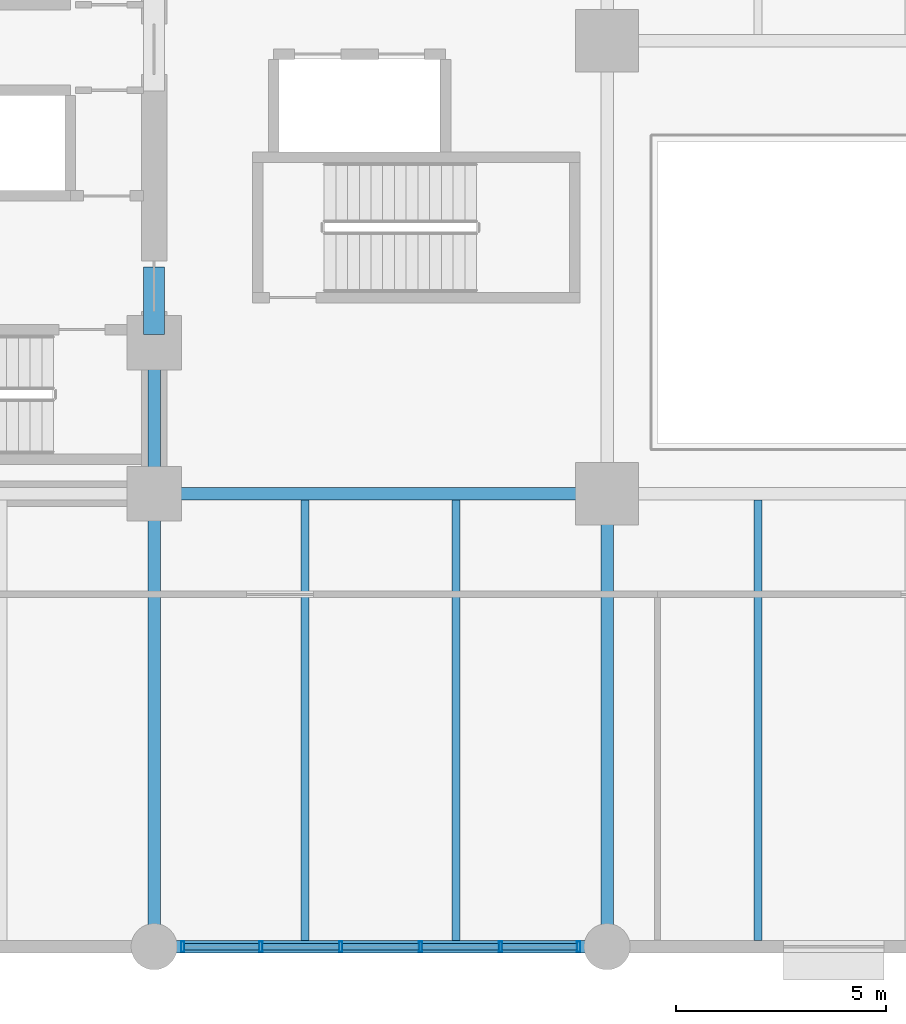
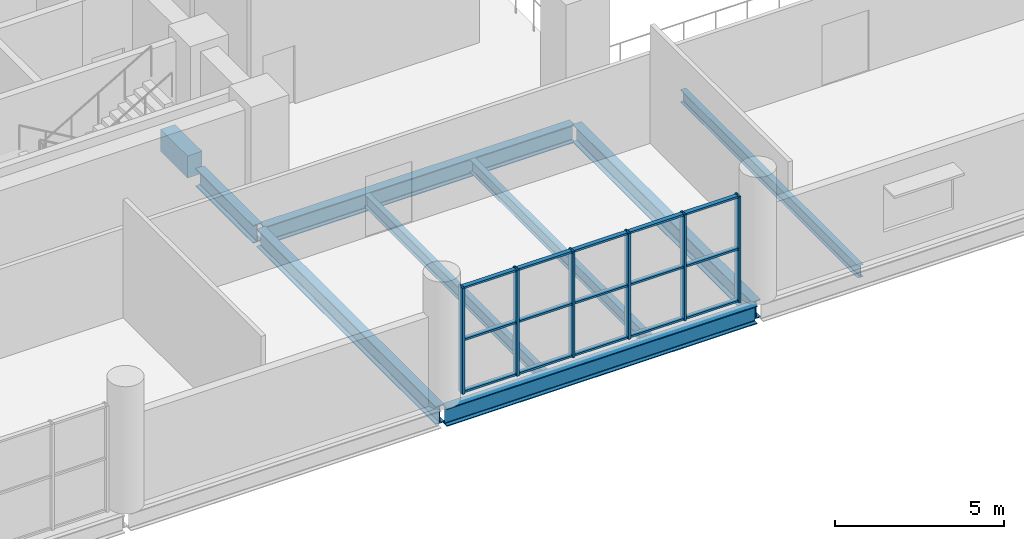
# One storey, part 5 of 16: 21 members, 9 beams, 1 element without a shape of its own.
"""IFC4 building model written with IfcOpenShell, lengths in metres."""

from ifc_helpers import new_model, si_unit, direction, frame, origin, origin_2d, place, context, subcontext, project, spatial, rectangle, hollow_rectangle, i_section, extrude, material, layer, layer_set, material_profile, profile_set, type_object, element, aggregate, save


model = new_model("IFC4")

# Units and contexts
model_context = context("Model", 3, precision=1e-05, world=origin(), true_north=direction((0.0, 1.0)))
body_context = subcontext(model_context, "Body", "Model", "MODEL_VIEW")
ifc_project = project(units=[si_unit("LENGTHUNIT", "METRE"), si_unit("AREAUNIT", "SQUARE_METRE"), si_unit("VOLUMEUNIT", "CUBIC_METRE"), si_unit("PLANEANGLEUNIT", "RADIAN"), si_unit("MASSUNIT", "GRAM", prefix="KILO")], contexts=[model_context])

# Site, building, storey
site_placement = place(None, origin())
site = spatial("IfcSite", under=ifc_project, at=site_placement, CompositionType="ELEMENT")
building_placement = place(site_placement, origin())
building = spatial("IfcBuilding", under=site, at=building_placement, Name="Solnavia Interchange Tower", CompositionType="ELEMENT")
storey_placement = place(building_placement, frame((0.0, 0.0, 10.199951171875)))
storey = spatial("IfcBuildingStorey", under=building, at=storey_placement, Name="L02", CompositionType="ELEMENT", Elevation=10.199951171875)

# Beams
ifc_material_1 = material(Name="Concrete C50/60", Category="concrete")
ifc_material_profile_1 = material_profile(ifc_material_1, rectangle(XDim=0.5, YDim=0.800048828125, at=origin_2d()), Name="RC 500x800")
ifc_profile_set_1 = profile_set([ifc_material_profile_1], Name="Concrete C50/60")
beam_type_1 = type_object("IfcBeamType", Name="Beam-Coupling-RC500x800", PredefinedType="LINTEL", material=ifc_profile_set_1)
beam_1_placement = place(storey_placement, frame((32.39990234375, 14.60009765625, -0.39990234375), z_axis=(0.0, 1.0, 0.0), x_axis=(-1.0, 0.0, 0.0)))
element("IfcBeam", 1, at=beam_1_placement, inside=storey, type_object=beam_type_1, Name="CPB-L02-E1 Core coupling lintel beam", PredefinedType="LINTEL", context=body_context, shape_type="SweptSolid", body=[
    extrude(rectangle(XDim=0.5, YDim=0.800048828125, at=origin_2d()), origin(), (0.0, 0.0, 1.0), 1.599853515625),
])
ifc_material_2 = material(Name="Steel S460", Category="steel")
ifc_material_profile_2 = material_profile(ifc_material_2, i_section(OverallWidth=0.300048828125, OverallDepth=0.64990234375, WebThickness=0.01611328125, FlangeThickness=0.031005859375, FilletRadius=0.027099609375, at=origin_2d()), Name="HEB 650")
ifc_profile_set_2 = profile_set([ifc_material_profile_2], Name="Steel S460")
beam_type_2 = type_object("IfcBeamType", Name="Beam-Girder-HEB650", PredefinedType="BEAM", material=ifc_profile_set_2)
for number, where, z_axis, x_axis, name in (
    (2, (32.5, 0.0, -0.625), (1.0, 0.0, 0.0), (0.0, 1.0, 0.0), "GRD-L02-04 Podium primary girder"),
    (3, (32.5, 10.800048828125, -0.625), (1.0, 0.0, 0.0), (0.0, 1.0, 0.0), "GRD-L02-12 Podium primary girder"),
):
    element("IfcBeam", number, at=place(storey_placement, frame(where, z_axis=z_axis, x_axis=x_axis)), inside=storey, type_object=beam_type_2, Name=name, PredefinedType="BEAM", context=body_context, shape_type="SweptSolid", body=[
        extrude(i_section(OverallWidth=0.300048828125, OverallDepth=0.64990234375, WebThickness=0.01611328125, FlangeThickness=0.031005859375, FilletRadius=0.027099609375, at=origin_2d()), origin(), (0.0, 0.0, 1.0), 10.60009765625),
    ])
beam_2_placement = place(storey_placement, frame((32.39990234375, 0.10009765625, -0.625), z_axis=(0.0, 1.0, 0.0), x_axis=(-1.0, 0.0, 0.0)))
element("IfcBeam", 4, at=beam_2_placement, inside=storey, type_object=beam_type_2, Name="GRD-L02-57 Podium primary girder", PredefinedType="BEAM", context=body_context, shape_type="SweptSolid", body=[
    extrude(i_section(OverallWidth=0.300048828125, OverallDepth=0.64990234375, WebThickness=0.01611328125, FlangeThickness=0.031005859375, FilletRadius=0.027099609375, at=origin_2d()), origin(), (0.0, 0.0, 1.0), 10.599853515625),
])
beam_3_placement = place(storey_placement, frame((32.39990234375, 10.89990234375, -0.625), z_axis=(0.0, 1.0, 0.0), x_axis=(-1.0, 0.0, 0.0)))
element("IfcBeam", 5, at=beam_3_placement, inside=storey, type_object=beam_type_2, Name="GRD-L02-58 Podium primary girder", PredefinedType="BEAM", context=body_context, shape_type="SweptSolid", body=[
    extrude(i_section(OverallWidth=0.300048828125, OverallDepth=0.64990234375, WebThickness=0.01611328125, FlangeThickness=0.031005859375, FilletRadius=0.027099609375, at=origin_2d()), origin(), (0.0, 0.0, 1.0), 3.400146484375),
])
beam_4_placement = place(storey_placement, frame((43.199951171875, 0.10009765625, -0.625), z_axis=(0.0, 1.0, 0.0), x_axis=(-1.0, 0.0, 0.0)))
element("IfcBeam", 6, at=beam_4_placement, inside=storey, type_object=beam_type_2, Name="GRD-L02-62 Podium primary girder", PredefinedType="BEAM", context=body_context, shape_type="SweptSolid", body=[
    extrude(i_section(OverallWidth=0.300048828125, OverallDepth=0.64990234375, WebThickness=0.01611328125, FlangeThickness=0.031005859375, FilletRadius=0.027099609375, at=origin_2d()), origin(), (0.0, 0.0, 1.0), 10.599853515625),
])
ifc_material_3 = material(Name="Steel S355", Category="steel")
ifc_material_profile_3 = material_profile(ifc_material_3, i_section(OverallWidth=0.18994140625, OverallDepth=0.449951171875, WebThickness=0.009521484375, FlangeThickness=0.0146484375, FilletRadius=0.02099609375, at=origin_2d()), Name="IPE 450")
ifc_profile_set_3 = profile_set([ifc_material_profile_3], Name="Steel S355")
beam_type_3 = type_object("IfcBeamType", Name="Beam-Joist-IPE450", PredefinedType="JOIST", material=ifc_profile_set_3)
for number, where, z_axis, x_axis, name in (
    (7, (36.0, 0.14990234375, -0.52490234375), (0.0, 1.0, 0.0), (-1.0, 0.0, 0.0), "JST-L02-21 Podium composite floor joist"),
    (8, (39.60009765625, 0.14990234375, -0.52490234375), (0.0, 1.0, 0.0), (-1.0, 0.0, 0.0), "JST-L02-24 Podium composite floor joist"),
    (9, (46.800048828125, 0.14990234375, -0.52490234375), (0.0, 1.0, 0.0), (-1.0, 0.0, 0.0), "JST-L02-27 Podium composite floor joist"),
):
    element("IfcBeam", number, at=place(storey_placement, frame(where, z_axis=z_axis, x_axis=x_axis)), inside=storey, type_object=beam_type_3, Name=name, PredefinedType="JOIST", context=body_context, shape_type="SweptSolid", body=[
        extrude(i_section(OverallWidth=0.18994140625, OverallDepth=0.449951171875, WebThickness=0.009521484375, FlangeThickness=0.0146484375, FilletRadius=0.02099609375, at=origin_2d()), origin(), (0.0, 0.0, 1.0), 10.5),
    ])

# Curtain wall, members
ifc_material_4 = material(Name="Aluminium Alloy 6063-T6", Category="aluminium")
ifc_layer = layer(ifc_material_4, 0.27001953125)
ifc_layer_set = layer_set([ifc_layer], Name="Aluminium Alloy 6063-T6")
curtain_wall_type = type_object("IfcCurtainWallType", Name="CurtainWall-Podium-CTW1", PredefinedType="NOTDEFINED", material=ifc_layer_set)
curtain_wall_placement = place(storey_placement, origin())
curtain_wall = element("IfcCurtainWall", 10, at=curtain_wall_placement, inside=storey, type_object=curtain_wall_type, Name="CTW-L02-S04 CTW-1 curtain wall", PredefinedType="NOTDEFINED")
ifc_material_profile_4 = material_profile(ifc_material_4, hollow_rectangle(XDim=0.080078125, YDim=0.25, WallThickness=0.006103515625, at=origin_2d()), Name="ALU 250x80x6")
ifc_profile_set_4 = profile_set([ifc_material_profile_4], Name="Aluminium Alloy 6063-T6")
member_type_1 = type_object("IfcMemberType", Name="CW-Mullion-CWM-1", PredefinedType="MULLION", material=ifc_profile_set_4)
member_1_placement = place(storey_placement, frame((42.52001953125, 0.0, 0.0), z_axis=(0.0, 0.0, 1.0), x_axis=(-1.0, 0.0, 0.0)))
member_1 = element("IfcMember", 11, at=member_1_placement, type_object=member_type_1, Name="CTW-1 mullion 1", PredefinedType="MULLION", context=body_context, shape_type="SweptSolid", body=[
    extrude(hollow_rectangle(XDim=0.080078125, YDim=0.25, WallThickness=0.006103515625, at=origin_2d()), origin(), (0.0, 0.0, 1.0), 3.830078125),
])
member_2_placement = place(storey_placement, frame((40.656005859375, 0.0, 0.0), z_axis=(0.0, 0.0, 1.0), x_axis=(-1.0, 0.0, 0.0)))
member_2 = element("IfcMember", 12, at=member_2_placement, type_object=member_type_1, Name="CTW-1 mullion 2", PredefinedType="MULLION", context=body_context, shape_type="SweptSolid", body=[
    extrude(hollow_rectangle(XDim=0.080078125, YDim=0.25, WallThickness=0.006103515625, at=origin_2d()), origin(), (0.0, 0.0, 1.0), 3.830078125),
])
member_3_placement = place(storey_placement, frame((38.751953125, 0.0, 0.0), z_axis=(0.0, 0.0, 1.0), x_axis=(-1.0, 0.0, 0.0)))
member_3 = element("IfcMember", 13, at=member_3_placement, type_object=member_type_1, Name="CTW-1 mullion 3", PredefinedType="MULLION", context=body_context, shape_type="SweptSolid", body=[
    extrude(hollow_rectangle(XDim=0.080078125, YDim=0.25, WallThickness=0.006103515625, at=origin_2d()), origin(), (0.0, 0.0, 1.0), 3.830078125),
])
member_4_placement = place(storey_placement, frame((36.847900390625, 0.0, 0.0), z_axis=(0.0, 0.0, 1.0), x_axis=(-1.0, 0.0, 0.0)))
member_4 = element("IfcMember", 14, at=member_4_placement, type_object=member_type_1, Name="CTW-1 mullion 4", PredefinedType="MULLION", context=body_context, shape_type="SweptSolid", body=[
    extrude(hollow_rectangle(XDim=0.080078125, YDim=0.25, WallThickness=0.006103515625, at=origin_2d()), origin(), (0.0, 0.0, 1.0), 3.830078125),
])
member_5_placement = place(storey_placement, frame((34.944091796875, 0.0, 0.0), z_axis=(0.0, 0.0, 1.0), x_axis=(-1.0, 0.0, 0.0)))
member_5 = element("IfcMember", 15, at=member_5_placement, type_object=member_type_1, Name="CTW-1 mullion 5", PredefinedType="MULLION", context=body_context, shape_type="SweptSolid", body=[
    extrude(hollow_rectangle(XDim=0.080078125, YDim=0.25, WallThickness=0.006103515625, at=origin_2d()), origin(), (0.0, 0.0, 1.0), 3.830078125),
])
member_6_placement = place(storey_placement, frame((33.080078125, 0.0, 0.0), z_axis=(0.0, 0.0, 1.0), x_axis=(-1.0, 0.0, 0.0)))
member_6 = element("IfcMember", 16, at=member_6_placement, type_object=member_type_1, Name="CTW-1 mullion 6", PredefinedType="MULLION", context=body_context, shape_type="SweptSolid", body=[
    extrude(hollow_rectangle(XDim=0.080078125, YDim=0.25, WallThickness=0.006103515625, at=origin_2d()), origin(), (0.0, 0.0, 1.0), 3.830078125),
])
ifc_material_profile_5 = material_profile(ifc_material_4, hollow_rectangle(XDim=0.070068359375, YDim=0.14990234375, WallThickness=0.00439453125, at=origin_2d()), Name="ALU 150x70x4.5")
ifc_profile_set_5 = profile_set([ifc_material_profile_5], Name="Aluminium Alloy 6063-T6")
member_type_2 = type_object("IfcMemberType", Name="CW-Transom-CWT-1", PredefinedType="USERDEFINED", material=ifc_profile_set_5)
member_7_placement = place(storey_placement, frame((42.47998046875, 0.0, 0.03515625), z_axis=(-1.0, 0.0, 0.0), x_axis=(0.0, 0.0, 1.0)))
member_7 = element("IfcMember", 17, at=member_7_placement, type_object=member_type_2, Name="CTW-1 transom 1.1", ObjectType="TRANSOM", PredefinedType="USERDEFINED", context=body_context, shape_type="SweptSolid", body=[
    extrude(hollow_rectangle(XDim=0.070068359375, YDim=0.14990234375, WallThickness=0.00439453125, at=origin_2d()), origin(), (0.0, 0.0, 1.0), 1.783935546875),
])
member_8_placement = place(storey_placement, frame((42.47998046875, 0.0, 1.9150390625), z_axis=(-1.0, 0.0, 0.0), x_axis=(0.0, 0.0, 1.0)))
member_8 = element("IfcMember", 18, at=member_8_placement, type_object=member_type_2, Name="CTW-1 transom 1.2", ObjectType="TRANSOM", PredefinedType="USERDEFINED", context=body_context, shape_type="SweptSolid", body=[
    extrude(hollow_rectangle(XDim=0.070068359375, YDim=0.14990234375, WallThickness=0.00439453125, at=origin_2d()), origin(), (0.0, 0.0, 1.0), 1.783935546875),
])
member_9_placement = place(storey_placement, frame((42.47998046875, 0.0, 3.795166015625), z_axis=(-1.0, 0.0, 0.0), x_axis=(0.0, 0.0, 1.0)))
member_9 = element("IfcMember", 19, at=member_9_placement, type_object=member_type_2, Name="CTW-1 transom 1.3", ObjectType="TRANSOM", PredefinedType="USERDEFINED", context=body_context, shape_type="SweptSolid", body=[
    extrude(hollow_rectangle(XDim=0.070068359375, YDim=0.14990234375, WallThickness=0.00439453125, at=origin_2d()), origin(), (0.0, 0.0, 1.0), 1.783935546875),
])
member_10_placement = place(storey_placement, frame((40.615966796875, 0.0, 0.03515625), z_axis=(-1.0, 0.0, 0.0), x_axis=(0.0, 0.0, 1.0)))
member_10 = element("IfcMember", 20, at=member_10_placement, type_object=member_type_2, Name="CTW-1 transom 2.1", ObjectType="TRANSOM", PredefinedType="USERDEFINED", context=body_context, shape_type="SweptSolid", body=[
    extrude(hollow_rectangle(XDim=0.070068359375, YDim=0.14990234375, WallThickness=0.00439453125, at=origin_2d()), origin(), (0.0, 0.0, 1.0), 1.823974609375),
])
member_11_placement = place(storey_placement, frame((40.615966796875, 0.0, 1.9150390625), z_axis=(-1.0, 0.0, 0.0), x_axis=(0.0, 0.0, 1.0)))
member_11 = element("IfcMember", 21, at=member_11_placement, type_object=member_type_2, Name="CTW-1 transom 2.2", ObjectType="TRANSOM", PredefinedType="USERDEFINED", context=body_context, shape_type="SweptSolid", body=[
    extrude(hollow_rectangle(XDim=0.070068359375, YDim=0.14990234375, WallThickness=0.00439453125, at=origin_2d()), origin(), (0.0, 0.0, 1.0), 1.823974609375),
])
member_12_placement = place(storey_placement, frame((40.615966796875, 0.0, 3.795166015625), z_axis=(-1.0, 0.0, 0.0), x_axis=(0.0, 0.0, 1.0)))
member_12 = element("IfcMember", 22, at=member_12_placement, type_object=member_type_2, Name="CTW-1 transom 2.3", ObjectType="TRANSOM", PredefinedType="USERDEFINED", context=body_context, shape_type="SweptSolid", body=[
    extrude(hollow_rectangle(XDim=0.070068359375, YDim=0.14990234375, WallThickness=0.00439453125, at=origin_2d()), origin(), (0.0, 0.0, 1.0), 1.823974609375),
])
member_13_placement = place(storey_placement, frame((38.7119140625, 0.0, 0.03515625), z_axis=(-1.0, 0.0, 0.0), x_axis=(0.0, 0.0, 1.0)))
member_13 = element("IfcMember", 23, at=member_13_placement, type_object=member_type_2, Name="CTW-1 transom 3.1", ObjectType="TRANSOM", PredefinedType="USERDEFINED", context=body_context, shape_type="SweptSolid", body=[
    extrude(hollow_rectangle(XDim=0.070068359375, YDim=0.14990234375, WallThickness=0.00439453125, at=origin_2d()), origin(), (0.0, 0.0, 1.0), 1.823974609375),
])
member_14_placement = place(storey_placement, frame((38.7119140625, 0.0, 1.9150390625), z_axis=(-1.0, 0.0, 0.0), x_axis=(0.0, 0.0, 1.0)))
member_14 = element("IfcMember", 24, at=member_14_placement, type_object=member_type_2, Name="CTW-1 transom 3.2", ObjectType="TRANSOM", PredefinedType="USERDEFINED", context=body_context, shape_type="SweptSolid", body=[
    extrude(hollow_rectangle(XDim=0.070068359375, YDim=0.14990234375, WallThickness=0.00439453125, at=origin_2d()), origin(), (0.0, 0.0, 1.0), 1.823974609375),
])
member_15_placement = place(storey_placement, frame((38.7119140625, 0.0, 3.795166015625), z_axis=(-1.0, 0.0, 0.0), x_axis=(0.0, 0.0, 1.0)))
member_15 = element("IfcMember", 25, at=member_15_placement, type_object=member_type_2, Name="CTW-1 transom 3.3", ObjectType="TRANSOM", PredefinedType="USERDEFINED", context=body_context, shape_type="SweptSolid", body=[
    extrude(hollow_rectangle(XDim=0.070068359375, YDim=0.14990234375, WallThickness=0.00439453125, at=origin_2d()), origin(), (0.0, 0.0, 1.0), 1.823974609375),
])
member_16_placement = place(storey_placement, frame((36.80810546875, 0.0, 0.03515625), z_axis=(-1.0, 0.0, 0.0), x_axis=(0.0, 0.0, 1.0)))
member_16 = element("IfcMember", 26, at=member_16_placement, type_object=member_type_2, Name="CTW-1 transom 4.1", ObjectType="TRANSOM", PredefinedType="USERDEFINED", context=body_context, shape_type="SweptSolid", body=[
    extrude(hollow_rectangle(XDim=0.070068359375, YDim=0.14990234375, WallThickness=0.00439453125, at=origin_2d()), origin(), (0.0, 0.0, 1.0), 1.82421875),
])
member_17_placement = place(storey_placement, frame((36.80810546875, 0.0, 1.9150390625), z_axis=(-1.0, 0.0, 0.0), x_axis=(0.0, 0.0, 1.0)))
member_17 = element("IfcMember", 27, at=member_17_placement, type_object=member_type_2, Name="CTW-1 transom 4.2", ObjectType="TRANSOM", PredefinedType="USERDEFINED", context=body_context, shape_type="SweptSolid", body=[
    extrude(hollow_rectangle(XDim=0.070068359375, YDim=0.14990234375, WallThickness=0.00439453125, at=origin_2d()), origin(), (0.0, 0.0, 1.0), 1.82421875),
])
member_18_placement = place(storey_placement, frame((36.80810546875, 0.0, 3.795166015625), z_axis=(-1.0, 0.0, 0.0), x_axis=(0.0, 0.0, 1.0)))
member_18 = element("IfcMember", 28, at=member_18_placement, type_object=member_type_2, Name="CTW-1 transom 4.3", ObjectType="TRANSOM", PredefinedType="USERDEFINED", context=body_context, shape_type="SweptSolid", body=[
    extrude(hollow_rectangle(XDim=0.070068359375, YDim=0.14990234375, WallThickness=0.00439453125, at=origin_2d()), origin(), (0.0, 0.0, 1.0), 1.82421875),
])
member_19_placement = place(storey_placement, frame((34.904052734375, 0.0, 0.03515625), z_axis=(-1.0, 0.0, 0.0), x_axis=(0.0, 0.0, 1.0)))
member_19 = element("IfcMember", 29, at=member_19_placement, type_object=member_type_2, Name="CTW-1 transom 5.1", ObjectType="TRANSOM", PredefinedType="USERDEFINED", context=body_context, shape_type="SweptSolid", body=[
    extrude(hollow_rectangle(XDim=0.070068359375, YDim=0.14990234375, WallThickness=0.00439453125, at=origin_2d()), origin(), (0.0, 0.0, 1.0), 1.783935546875),
])
member_20_placement = place(storey_placement, frame((34.904052734375, 0.0, 1.9150390625), z_axis=(-1.0, 0.0, 0.0), x_axis=(0.0, 0.0, 1.0)))
member_20 = element("IfcMember", 30, at=member_20_placement, type_object=member_type_2, Name="CTW-1 transom 5.2", ObjectType="TRANSOM", PredefinedType="USERDEFINED", context=body_context, shape_type="SweptSolid", body=[
    extrude(hollow_rectangle(XDim=0.070068359375, YDim=0.14990234375, WallThickness=0.00439453125, at=origin_2d()), origin(), (0.0, 0.0, 1.0), 1.783935546875),
])
member_21_placement = place(storey_placement, frame((34.904052734375, 0.0, 3.795166015625), z_axis=(-1.0, 0.0, 0.0), x_axis=(0.0, 0.0, 1.0)))
member_21 = element("IfcMember", 31, at=member_21_placement, type_object=member_type_2, Name="CTW-1 transom 5.3", ObjectType="TRANSOM", PredefinedType="USERDEFINED", context=body_context, shape_type="SweptSolid", body=[
    extrude(hollow_rectangle(XDim=0.070068359375, YDim=0.14990234375, WallThickness=0.00439453125, at=origin_2d()), origin(), (0.0, 0.0, 1.0), 1.783935546875),
])
aggregate(curtain_wall, [member_1, member_2, member_3, member_4, member_5, member_6, member_7, member_8, member_9, member_10, member_11, member_12, member_13, member_14, member_15, member_16, member_17, member_18, member_19, member_20, member_21])

save(model, "model.ifc")
